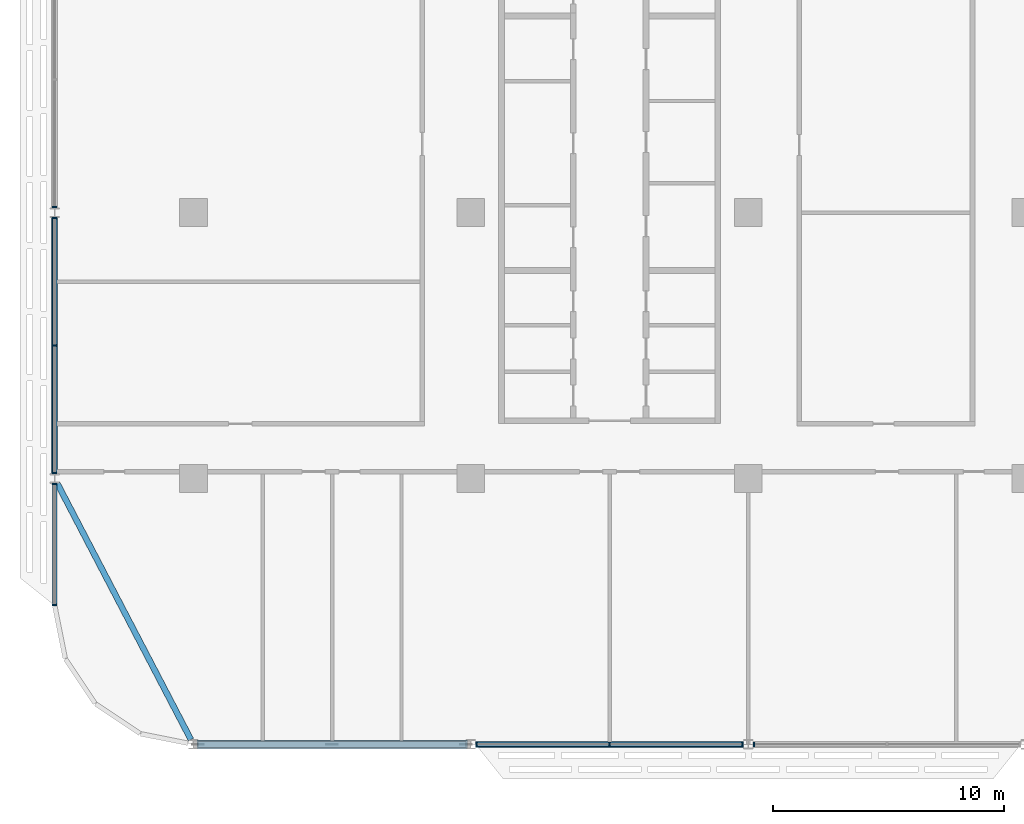
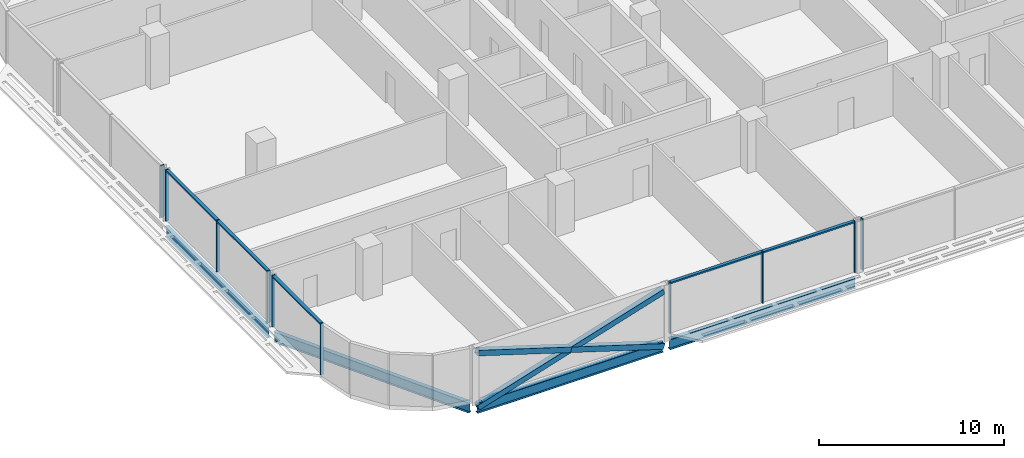
# One storey, part 3 of 28: 18 members, 4 beams, 5 elements without a shape of their own.
"""IFC4 building model written with IfcOpenShell, lengths in metres."""

from ifc_helpers import new_model, si_unit, direction, frame, origin, origin_2d, place, context, subcontext, project, spatial, rectangle, hollow_rectangle, i_section, extrude, material, material_profile, profile_set, type_object, element, aggregate, save


model = new_model("IFC4")

# Units and contexts
model_context = context("Model", 3, precision=1e-05, world=origin(), true_north=direction((0.0, 1.0)))
body_context = subcontext(model_context, "Body", "Model", "MODEL_VIEW")
ifc_project = project(units=[si_unit("LENGTHUNIT", "METRE"), si_unit("AREAUNIT", "SQUARE_METRE"), si_unit("VOLUMEUNIT", "CUBIC_METRE"), si_unit("PLANEANGLEUNIT", "RADIAN"), si_unit("MASSUNIT", "GRAM", prefix="KILO")], contexts=[model_context])

# Site, building, storey
site_placement = place(None, origin())
site = spatial("IfcSite", under=ifc_project, at=site_placement, CompositionType="ELEMENT")
building_placement = place(site_placement, origin())
building = spatial("IfcBuilding", under=site, at=building_placement, Name="Mahtab Terrace Research Tower", CompositionType="ELEMENT")
storey_placement = place(building_placement, frame((0.0, 0.0, 185.800048828125)))
storey = spatial("IfcBuildingStorey", under=building, at=storey_placement, Name="L44", CompositionType="ELEMENT", Elevation=185.800048828125)

# Members
ifc_material_1 = material(Name="Steel ASTM A500 Gr C", Category="steel")
ifc_material_profile_1 = material_profile(ifc_material_1, hollow_rectangle(XDim=0.355712890625, YDim=0.355712890625, WallThickness=0.015869140625, at=origin_2d()), Name="HSS14X14X5/8")
ifc_profile_set_1 = profile_set([ifc_material_profile_1], Name="Steel ASTM A500 Gr C")
member_type_1 = type_object("IfcMemberType", Name="HSS 14x14x5/8 brace XB141458", PredefinedType="BRACE", material=ifc_profile_set_1)
member_1_placement = place(storey_placement, frame((-41.796875, -23.0, -0.61572265625), z_axis=(0.954708641588, 0.0, 0.297542282166), x_axis=(0.0, 1.0, 0.0)))
element("IfcMember", 1, at=member_1_placement, inside=storey, type_object=member_type_1, Name="Exoskeleton brace L44 12 a", PredefinedType="BRACE", context=body_context, shape_type="SweptSolid", body=[
    extrude(hollow_rectangle(XDim=0.355712890625, YDim=0.355712890625, WallThickness=0.015869140625, at=origin_2d()), origin(), (0.0, 0.0, 1.0), 12.143798828125),
])
for number, where, z_axis, x_axis, name in (
    (2, (-30.203125, -23.0, -0.61572265625), (-0.954708641588, 0.0, 0.297542282166), (0.0, -1.0, 0.0), "Exoskeleton brace L44 12 b1"),
    (3, (-36.0, -23.0, 1.19091796875), (-0.954708641588, 0.0, 0.297542282166), (0.0, -1.0, 0.0), "Exoskeleton brace L44 12 b2"),
):
    element("IfcMember", number, at=place(storey_placement, frame(where, z_axis=z_axis, x_axis=x_axis)), inside=storey, type_object=member_type_1, Name=name, PredefinedType="BRACE", context=body_context, shape_type="SweptSolid", body=[
        extrude(hollow_rectangle(XDim=0.355712890625, YDim=0.355712890625, WallThickness=0.015869140625, at=origin_2d()), origin(), (0.0, 0.0, 1.0), 6.07177734375),
    ])

# Curtain wall, member
ifc_material_2 = material(Name="Laboratory ribbon curtain wall")
curtain_wall_type = type_object("IfcCurtainWallType", Name="Laboratory ribbon curtain wall", PredefinedType="NOTDEFINED", material=ifc_material_2)
curtain_wall_1_placement = place(storey_placement, origin())
curtain_wall_1 = element("IfcCurtainWall", 4, at=curtain_wall_1_placement, inside=storey, type_object=curtain_wall_type, Name="EN.L44.8.16", PredefinedType="NOTDEFINED")
ifc_material_3 = material(Name="Natural anodised aluminium", Category="aluminium")
ifc_material_profile_2 = material_profile(ifc_material_3, rectangle(XDim=0.199951171875, YDim=0.06494140625, at=origin_2d()), Name="MULLION 65x200")
ifc_profile_set_2 = profile_set([ifc_material_profile_2], Name="Natural anodised aluminium")
member_type_2 = type_object("IfcMemberType", Name="Laboratory ribbon curtain wall mullion", PredefinedType="MULLION", material=ifc_profile_set_2)
member_2_placement = place(storey_placement, frame((-48.0, 0.240478515625, 0.0), z_axis=(0.0, 0.0, 1.0), x_axis=(1.0, 0.0, 0.0)))
member_2 = element("IfcMember", 5, at=member_2_placement, type_object=member_type_2, Name="CWL-5 mullion 3", PredefinedType="MULLION", context=body_context, shape_type="SweptSolid", body=[
    extrude(rectangle(XDim=0.199951171875, YDim=0.06494140625, at=origin_2d()), origin(), (0.0, 0.0, 1.0), 3.39990234375),
])
aggregate(curtain_wall_1, [member_2])

# Curtain wall, members
curtain_wall_2_placement = place(storey_placement, origin())
curtain_wall_2 = element("IfcCurtainWall", 6, at=curtain_wall_2_placement, inside=storey, type_object=curtain_wall_type, Name="EN.L44.8.17", PredefinedType="NOTDEFINED")
member_3_placement = place(storey_placement, frame((-48.0, -0.240478515625, 0.0), z_axis=(0.0, 0.0, 1.0), x_axis=(1.0, 0.0, 0.0)))
member_3 = element("IfcMember", 7, at=member_3_placement, type_object=member_type_2, Name="CWL-5 mullion 1", PredefinedType="MULLION", context=body_context, shape_type="SweptSolid", body=[
    extrude(rectangle(XDim=0.199951171875, YDim=0.06494140625, at=origin_2d()), origin(), (0.0, 0.0, 1.0), 3.39990234375),
])
member_4_placement = place(storey_placement, frame((-48.0, -5.75, 0.0), z_axis=(0.0, 0.0, 1.0), x_axis=(1.0, 0.0, 0.0)))
member_4 = element("IfcMember", 8, at=member_4_placement, type_object=member_type_2, Name="CWL-5 mullion 2", PredefinedType="MULLION", context=body_context, shape_type="SweptSolid", body=[
    extrude(rectangle(XDim=0.199951171875, YDim=0.06494140625, at=origin_2d()), origin(), (0.0, 0.0, 1.0), 3.39990234375),
])
member_5_placement = place(storey_placement, frame((-48.0, -11.259521484375, 0.0), z_axis=(0.0, 0.0, 1.0), x_axis=(1.0, 0.0, 0.0)))
member_5 = element("IfcMember", 9, at=member_5_placement, type_object=member_type_2, Name="CWL-5 mullion 3", PredefinedType="MULLION", context=body_context, shape_type="SweptSolid", body=[
    extrude(rectangle(XDim=0.199951171875, YDim=0.06494140625, at=origin_2d()), origin(), (0.0, 0.0, 1.0), 3.39990234375),
])

curtain_wall_3_placement = place(storey_placement, origin())
curtain_wall_3 = element("IfcCurtainWall", 10, at=curtain_wall_3_placement, inside=storey, type_object=curtain_wall_type, Name="EN.L44.8.18", PredefinedType="NOTDEFINED")
member_6_placement = place(storey_placement, frame((-48.0, -11.740478515625, 0.0), z_axis=(0.0, 0.0, 1.0), x_axis=(1.0, 0.0, 0.0)))
member_6 = element("IfcMember", 11, at=member_6_placement, type_object=member_type_2, Name="CWL-5 mullion 1", PredefinedType="MULLION", context=body_context, shape_type="SweptSolid", body=[
    extrude(rectangle(XDim=0.199951171875, YDim=0.06494140625, at=origin_2d()), origin(), (0.0, 0.0, 1.0), 3.39990234375),
])
member_7_placement = place(storey_placement, frame((-48.0, -16.967529296875, 0.0), z_axis=(0.0, 0.0, 1.0), x_axis=(1.0, 0.0, 0.0)))
member_7 = element("IfcMember", 12, at=member_7_placement, type_object=member_type_2, Name="CWL-5 mullion 2", PredefinedType="MULLION", context=body_context, shape_type="SweptSolid", body=[
    extrude(rectangle(XDim=0.199951171875, YDim=0.06494140625, at=origin_2d()), origin(), (0.0, 0.0, 1.0), 3.39990234375),
])

curtain_wall_4_placement = place(storey_placement, origin())
curtain_wall_4 = element("IfcCurtainWall", 13, at=curtain_wall_4_placement, inside=storey, type_object=curtain_wall_type, Name="EN.L44.13.24", PredefinedType="NOTDEFINED")
member_8_placement = place(storey_placement, frame((-29.759521484375, -23.0, 0.0), z_axis=(0.0, 0.0, 1.0), x_axis=(0.0, 1.0, 0.0)))
member_8 = element("IfcMember", 14, at=member_8_placement, type_object=member_type_2, Name="CWL-5 mullion 1", PredefinedType="MULLION", context=body_context, shape_type="SweptSolid", body=[
    extrude(rectangle(XDim=0.199951171875, YDim=0.06494140625, at=origin_2d()), origin(), (0.0, 0.0, 1.0), 3.39990234375),
])
member_9_placement = place(storey_placement, frame((-24.0, -23.0, 0.0), z_axis=(0.0, 0.0, 1.0), x_axis=(0.0, 1.0, 0.0)))
member_9 = element("IfcMember", 15, at=member_9_placement, type_object=member_type_2, Name="CWL-5 mullion 2", PredefinedType="MULLION", context=body_context, shape_type="SweptSolid", body=[
    extrude(rectangle(XDim=0.199951171875, YDim=0.06494140625, at=origin_2d()), origin(), (0.0, 0.0, 1.0), 3.39990234375),
])
member_10_placement = place(storey_placement, frame((-18.240478515625, -23.0, 0.0), z_axis=(0.0, 0.0, 1.0), x_axis=(0.0, 1.0, 0.0)))
member_10 = element("IfcMember", 16, at=member_10_placement, type_object=member_type_2, Name="CWL-5 mullion 3", PredefinedType="MULLION", context=body_context, shape_type="SweptSolid", body=[
    extrude(rectangle(XDim=0.199951171875, YDim=0.06494140625, at=origin_2d()), origin(), (0.0, 0.0, 1.0), 3.39990234375),
])

# Curtain wall, member
curtain_wall_5_placement = place(storey_placement, origin())
curtain_wall_5 = element("IfcCurtainWall", 17, at=curtain_wall_5_placement, inside=storey, type_object=curtain_wall_type, Name="EN.L44.13.25", PredefinedType="NOTDEFINED")
member_11_placement = place(storey_placement, frame((-17.759521484375, -23.0, 0.0), z_axis=(0.0, 0.0, 1.0), x_axis=(0.0, 1.0, 0.0)))
member_11 = element("IfcMember", 18, at=member_11_placement, type_object=member_type_2, Name="CWL-5 mullion 1", PredefinedType="MULLION", context=body_context, shape_type="SweptSolid", body=[
    extrude(rectangle(XDim=0.199951171875, YDim=0.06494140625, at=origin_2d()), origin(), (0.0, 0.0, 1.0), 3.39990234375),
])
aggregate(curtain_wall_5, [member_11])

# Member
ifc_material_profile_3 = material_profile(ifc_material_3, rectangle(XDim=0.199951171875, YDim=0.10009765625, at=origin_2d()), Name="TRANSOM 100x200")
ifc_profile_set_3 = profile_set([ifc_material_profile_3], Name="Natural anodised aluminium")
member_type_3 = type_object("IfcMemberType", Name="Laboratory ribbon curtain wall transom", PredefinedType="USERDEFINED", material=ifc_profile_set_3)
member_12_placement = place(storey_placement, frame((-48.0, -0.27294921875, 3.349853515625), z_axis=(0.0, -1.0, 0.0), x_axis=(1.0, 0.0, 0.0)))
member_12 = element("IfcMember", 19, at=member_12_placement, type_object=member_type_3, Name="CWL-5 transom 1", ObjectType="TRANSOM", PredefinedType="USERDEFINED", context=body_context, shape_type="SweptSolid", body=[
    extrude(rectangle(XDim=0.199951171875, YDim=0.10009765625, at=origin_2d()), origin(), (0.0, 0.0, 1.0), 5.444580078125),
])

member_13_placement = place(storey_placement, frame((-48.0, -5.782470703125, 3.349853515625), z_axis=(0.0, -1.0, 0.0), x_axis=(1.0, 0.0, 0.0)))
member_13 = element("IfcMember", 20, at=member_13_placement, type_object=member_type_3, Name="CWL-5 transom 2", ObjectType="TRANSOM", PredefinedType="USERDEFINED", context=body_context, shape_type="SweptSolid", body=[
    extrude(rectangle(XDim=0.199951171875, YDim=0.10009765625, at=origin_2d()), origin(), (0.0, 0.0, 1.0), 5.444580078125),
])

aggregate(curtain_wall_2, [member_3, member_4, member_5, member_12, member_13])

member_14_placement = place(storey_placement, frame((-48.0, -11.77294921875, 3.349853515625), z_axis=(0.0, -1.0, 0.0), x_axis=(1.0, 0.0, 0.0)))
member_14 = element("IfcMember", 21, at=member_14_placement, type_object=member_type_3, Name="CWL-5 transom 1", ObjectType="TRANSOM", PredefinedType="USERDEFINED", context=body_context, shape_type="SweptSolid", body=[
    extrude(rectangle(XDim=0.199951171875, YDim=0.10009765625, at=origin_2d()), origin(), (0.0, 0.0, 1.0), 5.162109375),
])

aggregate(curtain_wall_3, [member_6, member_7, member_14])

member_15_placement = place(storey_placement, frame((-29.72705078125, -23.0, 3.349853515625), z_axis=(1.0, 0.0, 0.0), x_axis=(0.0, 1.0, 0.0)))
member_15 = element("IfcMember", 22, at=member_15_placement, type_object=member_type_3, Name="CWL-5 transom 1", ObjectType="TRANSOM", PredefinedType="USERDEFINED", context=body_context, shape_type="SweptSolid", body=[
    extrude(rectangle(XDim=0.199951171875, YDim=0.10009765625, at=origin_2d()), origin(), (0.0, 0.0, 1.0), 5.694580078125),
])

member_16_placement = place(storey_placement, frame((-23.967529296875, -23.0, 3.349853515625), z_axis=(1.0, 0.0, 0.0), x_axis=(0.0, 1.0, 0.0)))
member_16 = element("IfcMember", 23, at=member_16_placement, type_object=member_type_3, Name="CWL-5 transom 2", ObjectType="TRANSOM", PredefinedType="USERDEFINED", context=body_context, shape_type="SweptSolid", body=[
    extrude(rectangle(XDim=0.199951171875, YDim=0.10009765625, at=origin_2d()), origin(), (0.0, 0.0, 1.0), 5.694580078125),
])

aggregate(curtain_wall_4, [member_8, member_9, member_10, member_15, member_16])

# Beams
ifc_material_4 = material(Name="Steel ASTM A992 Gr 50", Category="steel")
ifc_material_profile_4 = material_profile(ifc_material_4, i_section(OverallWidth=0.25390625, OverallDepth=0.67822265625, WebThickness=0.01171875, FlangeThickness=0.016357421875, at=origin_2d()), Name="W27X84")
ifc_profile_set_4 = profile_set([ifc_material_profile_4], Name="Steel ASTM A992 Gr 50")
beam_type = type_object("IfcBeamType", Name="W27x84 beam BS2784", PredefinedType="BEAM", material=ifc_profile_set_4)
beam_1_placement = place(storey_placement, frame((-48.0, -0.208251953125, -0.67919921875), z_axis=(0.0, -1.0, 0.0), x_axis=(1.0, 0.0, 0.0)))
element("IfcBeam", 24, at=beam_1_placement, inside=storey, type_object=beam_type, Name="Spandrel beam L44 10", PredefinedType="BEAM", context=body_context, shape_type="SweptSolid", body=[
    extrude(i_section(OverallWidth=0.25390625, OverallDepth=0.67822265625, WebThickness=0.01171875, FlangeThickness=0.016357421875, at=origin_2d()), origin(), (0.0, 0.0, 1.0), 11.08349609375),
])
beam_2_placement = place(storey_placement, frame((-47.891357421875, -11.708251953125, -0.67919921875), z_axis=(0.462567341525, -0.886584149731, 0.0), x_axis=(0.886584149731, 0.462567341525, 0.0)))
element("IfcBeam", 25, at=beam_2_placement, inside=storey, type_object=beam_type, Name="Spandrel beam L44 11", PredefinedType="BEAM", context=body_context, shape_type="SweptSolid", body=[
    extrude(i_section(OverallWidth=0.25390625, OverallDepth=0.67822265625, WebThickness=0.01171875, FlangeThickness=0.016357421875, at=origin_2d()), origin(), (0.0, 0.0, 1.0), 12.50146484375),
])
for number, where, z_axis, x_axis, name in (
    (26, (-41.796875, -23.0, -0.67919921875), (1.0, 0.0, 0.0), (0.0, 1.0, 0.0), "Spandrel beam L44 12"),
    (27, (-29.796875, -23.0, -0.67919921875), (1.0, 0.0, 0.0), (0.0, 1.0, 0.0), "Spandrel beam L44 13"),
):
    element("IfcBeam", number, at=place(storey_placement, frame(where, z_axis=z_axis, x_axis=x_axis)), inside=storey, type_object=beam_type, Name=name, PredefinedType="BEAM", context=body_context, shape_type="SweptSolid", body=[
        extrude(i_section(OverallWidth=0.25390625, OverallDepth=0.67822265625, WebThickness=0.01171875, FlangeThickness=0.016357421875, at=origin_2d()), origin(), (0.0, 0.0, 1.0), 11.59375),
    ])

save(model, "model.ifc")
